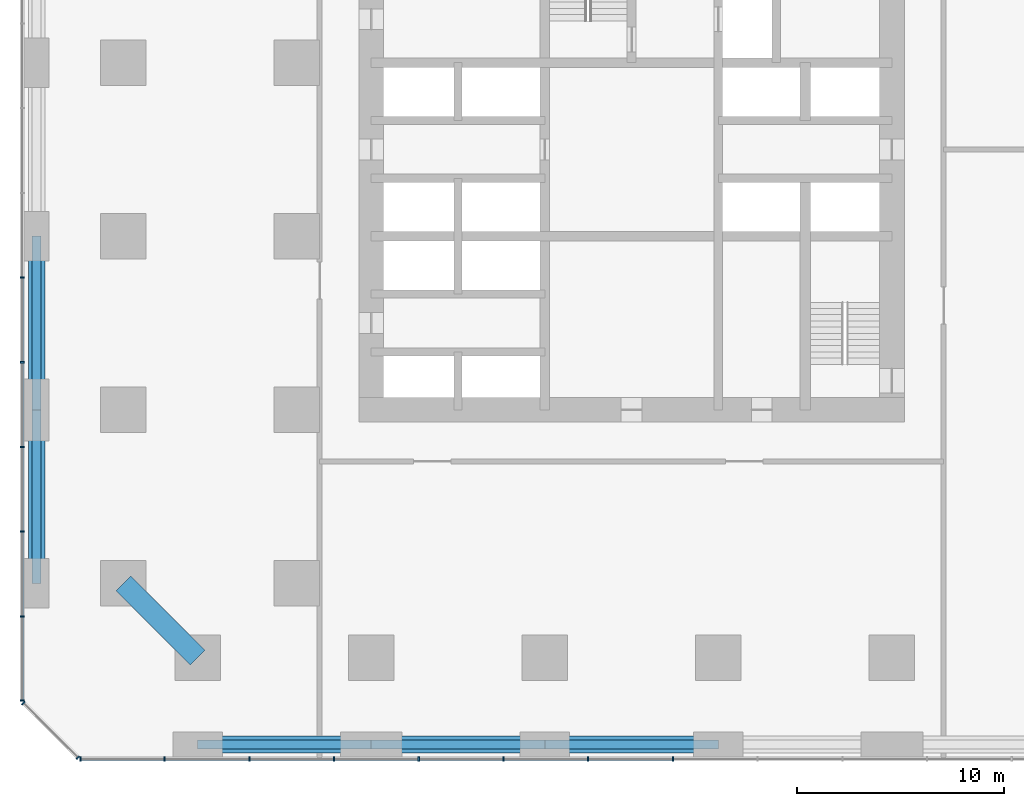
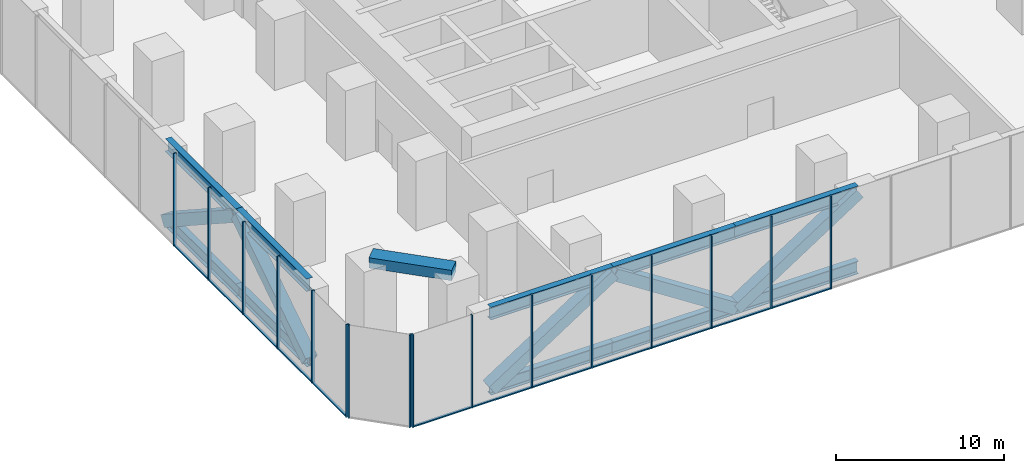
# One storey, part 2 of 10: 43 members, 1 beam, 3 elements without a shape of their own.
"""IFC4 building model written with IfcOpenShell, lengths in metres."""

import ifcopenshell
import ifcopenshell.guid

model = None  # the IFC model being written
_history = None  # IfcOwnerHistory: only IFC2X3 demands one
_inside = {}  # id of a spatial element -> (the spatial element, [elements in it])
_under = {}  # id of a project, library or spatial element -> (it, [spatial elements below it])
_declared = {}  # id of a project -> (the project, [libraries it declares])
_typed = {}  # id of a type object -> (the type object, [elements of that type])
_made_of = {}  # id of a material, layer set ... -> (it, [elements and type objects made of it])


def new_model(schema):
    """Start an empty IFC model of exactly this schema.

    Asked for "IFC4X3", IfcOpenShell would pick the latest addendum, in which some entities
    have other attributes; the version numbers below select the first issue.
    IFC2X3 requires an IfcOwnerHistory on every rooted entity: one is made here for all.
    """
    global model, _history
    if schema == "IFC4X3":
        model = ifcopenshell.file(schema_version=(4, 3, 0, 0))
    else:
        model = ifcopenshell.file(schema=schema)
    _inside.clear()
    _under.clear()
    _declared.clear()
    _typed.clear()
    _made_of.clear()
    _history = None
    if model.schema == "IFC2X3":
        org = make("IfcOrganization", Name="unknown")
        user = make(
            "IfcPersonAndOrganization",
            ThePerson=make("IfcPerson", FamilyName="unknown"),
            TheOrganization=org,
        )
        app = make(
            "IfcApplication",
            ApplicationDeveloper=org,
            Version="unknown",
            ApplicationFullName="unknown",
            ApplicationIdentifier="unknown",
        )
        _history = make(
            "IfcOwnerHistory",
            OwningUser=user,
            OwningApplication=app,
            ChangeAction="ADDED",
            CreationDate=0,
        )
    return model


def make(cls, **values):
    """One entity of the class cls with the attributes given. An attribute that is None is left unset."""
    return model.create_entity(
        cls, **{name: value for name, value in values.items() if value is not None}
    )


def rooted(cls, **values):
    """An entity with a GlobalId (a new one), such as an element, a storey or a relation."""
    return make(cls, GlobalId=ifcopenshell.guid.new(), OwnerHistory=_history, **values)


def si_unit(unit_type, name, prefix=None):
    """IfcSIUnit, for example si_unit("LENGTHUNIT", "METRE", prefix="MILLI")."""
    return make("IfcSIUnit", UnitType=unit_type, Prefix=prefix, Name=name)


def assignment(units):
    """IfcUnitAssignment: the units of a project."""
    return None if units is None else make("IfcUnitAssignment", Units=units)


def point(xyz):
    """IfcCartesianPoint."""
    return None if xyz is None else make("IfcCartesianPoint", Coordinates=xyz)


def direction(xyz):
    """IfcDirection."""
    return None if xyz is None else make("IfcDirection", DirectionRatios=xyz)


def frame(location, z_axis=None, x_axis=None):
    """IfcAxis2Placement3D, a coordinate frame: its origin and axes. An axis left out is left unset."""
    return make(
        "IfcAxis2Placement3D",
        Location=point(location),
        Axis=direction(z_axis),
        RefDirection=direction(x_axis),
    )


def frame_2d(location, x_axis=None):
    """IfcAxis2Placement2D, a coordinate frame in the plane: its origin and x axis."""
    return make(
        "IfcAxis2Placement2D", Location=point(location), RefDirection=direction(x_axis)
    )


def origin():
    """The frame at (0, 0, 0) with its axes left unset."""
    return frame((0.0, 0.0, 0.0))


def origin_2d():
    """The frame at (0, 0) in the plane with its x axis left unset."""
    return frame_2d((0.0, 0.0))


def place(relative_to, where):
    """IfcLocalPlacement: puts the frame where relative to a parent placement (None: the world)."""
    return make(
        "IfcLocalPlacement", PlacementRelTo=relative_to, RelativePlacement=where
    )


def context(
    kind, dimensions, precision=None, world=None, true_north=None, identifier=None
):
    """IfcGeometricRepresentationContext, for example the 3D "Model" context."""
    return make(
        "IfcGeometricRepresentationContext",
        ContextIdentifier=identifier,
        ContextType=kind,
        CoordinateSpaceDimension=dimensions,
        Precision=precision,
        WorldCoordinateSystem=world,
        TrueNorth=true_north,
    )


def subcontext(parent, identifier, kind, view, scale=None):
    """IfcGeometricRepresentationSubContext, for example "Body" below "Model"."""
    return make(
        "IfcGeometricRepresentationSubContext",
        ContextIdentifier=identifier,
        ContextType=kind,
        ParentContext=parent,
        TargetScale=scale,
        TargetView=view,
    )


def project(units=None, contexts=None):
    """IfcProject with its units and contexts."""
    return rooted(
        "IfcProject",
        Name="project",
        RepresentationContexts=contexts,
        UnitsInContext=assignment(units),
    )


def spatial(cls, under=None, at=None, **own):
    """A site, building, storey or space (cls), placed at a placement, below another one or the project."""
    s = rooted(cls, ObjectPlacement=at, **own)
    if under is not None:
        _under.setdefault(under.id(), (under, []))[1].append(s)
    return s


def profile(cls, at=None, kind="AREA", **sizes):
    """A parametric profile (cls). Its sizes go by their IFC names, for example OverallWidth=200.0."""
    return make(cls, ProfileType=kind, Position=at, **sizes)


def rectangle(**sizes):
    """IfcRectangleProfileDef."""
    return profile("IfcRectangleProfileDef", **sizes)


def hollow_rectangle(**sizes):
    """IfcRectangleHollowProfileDef."""
    return profile("IfcRectangleHollowProfileDef", **sizes)


def i_section(**sizes):
    """IfcIShapeProfileDef."""
    return profile("IfcIShapeProfileDef", **sizes)


def extrude(swept, where, along, depth):
    """IfcExtrudedAreaSolid: the profile swept, set in the frame where, extruded along a direction by depth."""
    return make(
        "IfcExtrudedAreaSolid",
        SweptArea=swept,
        Position=where,
        ExtrudedDirection=direction(along),
        Depth=depth,
    )


def shape(context_of_items, identifier, shape_type, items):
    """IfcShapeRepresentation: the items that make up one representation, for example the "Body"."""
    return make(
        "IfcShapeRepresentation",
        ContextOfItems=context_of_items,
        RepresentationIdentifier=identifier,
        RepresentationType=shape_type,
        Items=items,
    )


def material(Name=None, Category=None):
    """IfcMaterial."""
    return make("IfcMaterial", Name=Name, Category=Category)


def material_profile(
    of_material, cross_section, Name=None, Category=None, Priority=None
):
    """IfcMaterialProfile: a cross section and its material."""
    return make(
        "IfcMaterialProfile",
        Name=Name,
        Material=of_material,
        Profile=cross_section,
        Priority=Priority,
        Category=Category,
    )


def profile_set(profiles, Name=None, composite=None):
    """IfcMaterialProfileSet."""
    return make(
        "IfcMaterialProfileSet",
        Name=Name,
        MaterialProfiles=profiles,
        CompositeProfile=composite,
    )


def made_of(thing, what):
    """Note that an element or type object is made of a material, layer set ...; save() writes the relation."""
    if what is not None:
        _made_of.setdefault(what.id(), (what, []))[1].append(thing)
    return thing


def type_object(cls, material=None, **own):
    """A type object (cls), such as IfcWallType, which elements share."""
    return made_of(rooted(cls, **own), material)


def element(
    cls,
    number,
    at=None,
    inside=None,
    cuts=None,
    type_object=None,
    material=None,
    context=None,
    identifier="Body",
    shape_type=None,
    held_by="IfcProductDefinitionShape",
    body=None,
    shapes=None,
    **own,
):
    """One element of the class cls, such as IfcWall. Its Tag is "e" and its number.

    at: its placement. inside: the storey or other place that contains it. cuts: it is an
    opening in that element (IfcRelVoidsElement). A single representation is given by context,
    identifier, shape_type and body (its items); several are given by shapes. held_by: the class
    of the entity that holds the representations. save() writes the other relations.
    """
    e = rooted(cls, Tag="e%d" % number, ObjectPlacement=at, **own)
    if body is not None:
        shapes = [shape(context, identifier, shape_type, body)]
    if shapes is not None:
        e.Representation = make(held_by, Representations=shapes)
    if inside is not None:
        _inside.setdefault(inside.id(), (inside, []))[1].append(e)
    if cuts is not None:
        rooted(
            "IfcRelVoidsElement", RelatingBuildingElement=cuts, RelatedOpeningElement=e
        )
    if type_object is not None:
        _typed.setdefault(type_object.id(), (type_object, []))[1].append(e)
    return made_of(e, material)


def aggregate(whole, parts):
    """IfcRelAggregates: a whole, such as a stair, and the parts it consists of."""
    return rooted("IfcRelAggregates", RelatingObject=whole, RelatedObjects=parts)


def save(model, path):
    """Write the relations noted so far, then the file.

    IfcRelAggregates (storeys below a building ...), IfcRelContainedInSpatialStructure (elements
    in a storey), IfcRelDefinesByType, IfcRelAssociatesMaterial and IfcRelDeclares: one each for
    every whole, place, type object, material and project.
    """
    for whole, parts in _under.values():
        aggregate(whole, parts)
    for where, things in _inside.values():
        rooted(
            "IfcRelContainedInSpatialStructure",
            RelatedElements=things,
            RelatingStructure=where,
        )
    for kind, things in _typed.values():
        rooted("IfcRelDefinesByType", RelatedObjects=things, RelatingType=kind)
    for what, things in _made_of.values():
        rooted("IfcRelAssociatesMaterial", RelatedObjects=things, RelatingMaterial=what)
    for by, libraries in _declared.values():
        rooted("IfcRelDeclares", RelatingContext=by, RelatedDefinitions=libraries)
    model.write(path)


model = new_model("IFC4")

# Units and contexts
model_context = context("Model", 3, precision=1e-05, world=origin(), true_north=direction((0.0, 1.0)))
body_context = subcontext(model_context, "Body", "Model", "MODEL_VIEW")
ifc_project = project(units=[si_unit("LENGTHUNIT", "METRE"), si_unit("AREAUNIT", "SQUARE_METRE"), si_unit("VOLUMEUNIT", "CUBIC_METRE"), si_unit("PLANEANGLEUNIT", "RADIAN"), si_unit("MASSUNIT", "GRAM", prefix="KILO")], contexts=[model_context])

# Site, building, storey
site_placement = place(None, origin())
site = spatial("IfcSite", under=ifc_project, at=site_placement, CompositionType="ELEMENT")
building_placement = place(site_placement, origin())
building = spatial("IfcBuilding", under=site, at=building_placement, Name="Dunama Terrace Hotel", CompositionType="ELEMENT")
storey_placement = place(building_placement, frame((0.0, 0.0, 153.60009765625)))
storey = spatial("IfcBuildingStorey", under=building, at=storey_placement, Name="L39", CompositionType="ELEMENT", Elevation=153.60009765625)

# Members
ifc_material_1 = material(Name="Steel S355", Category="steel")
ifc_material_profile_1 = material_profile(ifc_material_1, hollow_rectangle(XDim=0.800048828125, YDim=0.800048828125, WallThickness=0.06005859375, at=origin_2d()), Name="BOX 800x800x60")
ifc_profile_set_1 = profile_set([ifc_material_profile_1], Name="Steel S355")
member_type_1 = type_object("IfcMemberType", Name="Brace BOX 800x800x60", PredefinedType="BRACE", material=ifc_profile_set_1)
member_1_placement = place(storey_placement, frame((0.60009765625, 8.39990234375, -0.860595703125), z_axis=(0.0, 0.838906226141, 0.544275981229), x_axis=(-1.0, 0.0, 0.0)))
element("IfcMember", 1, at=member_1_placement, inside=storey, type_object=member_type_1, Name="Belt truss diagonal L39", PredefinedType="BRACE", context=body_context, shape_type="SweptSolid", body=[
    extrude(hollow_rectangle(XDim=0.800048828125, YDim=0.800048828125, WallThickness=0.06005859375, at=origin_2d()), origin(), (0.0, 0.0, 1.0), 10.01318359375),
])
member_2_placement = place(storey_placement, frame((0.60009765625, 25.199951171875, -0.860595703125), z_axis=(0.0, -0.83889900313, 0.544287114075), x_axis=(1.0, 0.0, 0.0)))
element("IfcMember", 2, at=member_2_placement, inside=storey, type_object=member_type_1, Name="Belt truss diagonal L39", PredefinedType="BRACE", context=body_context, shape_type="SweptSolid", body=[
    extrude(hollow_rectangle(XDim=0.800048828125, YDim=0.800048828125, WallThickness=0.06005859375, at=origin_2d()), origin(), (0.0, 0.0, 1.0), 10.012939453125),
])
member_3_placement = place(storey_placement, frame((8.39990234375, 0.60009765625, -0.860595703125), z_axis=(0.838906226141, 0.0, 0.544275981229), x_axis=(0.0, 1.0, 0.0)))
element("IfcMember", 3, at=member_3_placement, inside=storey, type_object=member_type_1, Name="Belt truss diagonal L39", PredefinedType="BRACE", context=body_context, shape_type="SweptSolid", body=[
    extrude(hollow_rectangle(XDim=0.800048828125, YDim=0.800048828125, WallThickness=0.06005859375, at=origin_2d()), origin(), (0.0, 0.0, 1.0), 10.01318359375),
])
member_4_placement = place(storey_placement, frame((25.199951171875, 0.60009765625, -0.860595703125), z_axis=(-0.83889900313, 0.0, 0.544287114075), x_axis=(0.0, -1.0, 0.0)))
element("IfcMember", 4, at=member_4_placement, inside=storey, type_object=member_type_1, Name="Belt truss diagonal L39", PredefinedType="BRACE", context=body_context, shape_type="SweptSolid", body=[
    extrude(hollow_rectangle(XDim=0.800048828125, YDim=0.800048828125, WallThickness=0.06005859375, at=origin_2d()), origin(), (0.0, 0.0, 1.0), 10.012939453125),
])
member_5_placement = place(storey_placement, frame((25.199951171875, 0.60009765625, -0.860595703125), z_axis=(0.838906226141, 0.0, 0.544275981229), x_axis=(0.0, 1.0, 0.0)))
element("IfcMember", 5, at=member_5_placement, inside=storey, type_object=member_type_1, Name="Belt truss diagonal L39", PredefinedType="BRACE", context=body_context, shape_type="SweptSolid", body=[
    extrude(hollow_rectangle(XDim=0.800048828125, YDim=0.800048828125, WallThickness=0.06005859375, at=origin_2d()), origin(), (0.0, 0.0, 1.0), 10.01318359375),
])

# Curtain wall, members
ifc_material_2 = material(Name="Aluminium curtain wall system", Category="aluminium")
curtain_wall_type = type_object("IfcCurtainWallType", Name="Plant floor louvred glazing CW-G", PredefinedType="NOTDEFINED", material=ifc_material_2)
curtain_wall_1_placement = place(storey_placement, origin())
curtain_wall_1 = element("IfcCurtainWall", 6, at=curtain_wall_1_placement, inside=storey, type_object=curtain_wall_type, Name="Plant floor louvred glazing CW-G L39", PredefinedType="NOTDEFINED")
ifc_material_3 = material(Name="Aluminium mullion", Category="aluminium")
ifc_material_profile_2 = material_profile(ifc_material_3, rectangle(XDim=0.074951171875, YDim=0.199951171875, at=origin_2d()), Name="CWG MULLION 75X200")
ifc_profile_set_2 = profile_set([ifc_material_profile_2], Name="Aluminium mullion")
member_type_2 = type_object("IfcMemberType", Name="CWG mullion 75x200", PredefinedType="MULLION", material=ifc_profile_set_2)
member_6_placement = place(storey_placement, frame((2.738037109375, -0.10009765625, -1.321044921875), z_axis=(0.0, 0.0, 1.0), x_axis=(1.0, 0.0, 0.0)))
member_6 = element("IfcMember", 7, at=member_6_placement, type_object=member_type_2, Name="CWG mullion", PredefinedType="MULLION", context=body_context, shape_type="SweptSolid", body=[
    extrude(rectangle(XDim=0.074951171875, YDim=0.199951171875, at=origin_2d()), origin(), (0.0, 0.0, 1.0), 6.720947265625),
])
member_7_placement = place(storey_placement, frame((6.800048828125, -0.10009765625, -1.321044921875), z_axis=(0.0, 0.0, 1.0), x_axis=(1.0, 0.0, 0.0)))
member_7 = element("IfcMember", 8, at=member_7_placement, type_object=member_type_2, Name="CWG mullion", PredefinedType="MULLION", context=body_context, shape_type="SweptSolid", body=[
    extrude(rectangle(XDim=0.074951171875, YDim=0.199951171875, at=origin_2d()), origin(), (0.0, 0.0, 1.0), 6.720947265625),
])
member_8_placement = place(storey_placement, frame((10.89990234375, -0.10009765625, -1.321044921875), z_axis=(0.0, 0.0, 1.0), x_axis=(1.0, 0.0, 0.0)))
member_8 = element("IfcMember", 9, at=member_8_placement, type_object=member_type_2, Name="CWG mullion", PredefinedType="MULLION", context=body_context, shape_type="SweptSolid", body=[
    extrude(rectangle(XDim=0.074951171875, YDim=0.199951171875, at=origin_2d()), origin(), (0.0, 0.0, 1.0), 6.720947265625),
])
member_9_placement = place(storey_placement, frame((15.0, -0.10009765625, -1.321044921875), z_axis=(0.0, 0.0, 1.0), x_axis=(1.0, 0.0, 0.0)))
member_9 = element("IfcMember", 10, at=member_9_placement, type_object=member_type_2, Name="CWG mullion", PredefinedType="MULLION", context=body_context, shape_type="SweptSolid", body=[
    extrude(rectangle(XDim=0.074951171875, YDim=0.199951171875, at=origin_2d()), origin(), (0.0, 0.0, 1.0), 6.720947265625),
])
member_10_placement = place(storey_placement, frame((19.10009765625, -0.10009765625, -1.321044921875), z_axis=(0.0, 0.0, 1.0), x_axis=(1.0, 0.0, 0.0)))
member_10 = element("IfcMember", 11, at=member_10_placement, type_object=member_type_2, Name="CWG mullion", PredefinedType="MULLION", context=body_context, shape_type="SweptSolid", body=[
    extrude(rectangle(XDim=0.074951171875, YDim=0.199951171875, at=origin_2d()), origin(), (0.0, 0.0, 1.0), 6.720947265625),
])
member_11_placement = place(storey_placement, frame((23.199951171875, -0.10009765625, -1.321044921875), z_axis=(0.0, 0.0, 1.0), x_axis=(1.0, 0.0, 0.0)))
member_11 = element("IfcMember", 12, at=member_11_placement, type_object=member_type_2, Name="CWG mullion", PredefinedType="MULLION", context=body_context, shape_type="SweptSolid", body=[
    extrude(rectangle(XDim=0.074951171875, YDim=0.199951171875, at=origin_2d()), origin(), (0.0, 0.0, 1.0), 6.720947265625),
])
member_12_placement = place(storey_placement, frame((27.300048828125, -0.10009765625, -1.321044921875), z_axis=(0.0, 0.0, 1.0), x_axis=(1.0, 0.0, 0.0)))
member_12 = element("IfcMember", 13, at=member_12_placement, type_object=member_type_2, Name="CWG mullion", PredefinedType="MULLION", context=body_context, shape_type="SweptSolid", body=[
    extrude(rectangle(XDim=0.074951171875, YDim=0.199951171875, at=origin_2d()), origin(), (0.0, 0.0, 1.0), 6.720947265625),
])
member_13_placement = place(storey_placement, frame((31.39990234375, -0.10009765625, -1.321044921875), z_axis=(0.0, 0.0, 1.0), x_axis=(1.0, 0.0, 0.0)))
member_13 = element("IfcMember", 14, at=member_13_placement, type_object=member_type_2, Name="CWG mullion", PredefinedType="MULLION", context=body_context, shape_type="SweptSolid", body=[
    extrude(rectangle(XDim=0.074951171875, YDim=0.199951171875, at=origin_2d()), origin(), (0.0, 0.0, 1.0), 6.720947265625),
])

curtain_wall_2_placement = place(storey_placement, origin())
curtain_wall_2 = element("IfcCurtainWall", 15, at=curtain_wall_2_placement, inside=storey, type_object=curtain_wall_type, Name="Plant floor louvred glazing CW-G L39", PredefinedType="NOTDEFINED")
member_14_placement = place(storey_placement, frame((-0.10009765625, 23.199951171875, -1.321044921875), z_axis=(0.0, 0.0, 1.0), x_axis=(0.0, -1.0, 0.0)))
member_14 = element("IfcMember", 16, at=member_14_placement, type_object=member_type_2, Name="CWG mullion", PredefinedType="MULLION", context=body_context, shape_type="SweptSolid", body=[
    extrude(rectangle(XDim=0.074951171875, YDim=0.199951171875, at=origin_2d()), origin(), (0.0, 0.0, 1.0), 6.720947265625),
])
member_15_placement = place(storey_placement, frame((-0.10009765625, 19.10009765625, -1.321044921875), z_axis=(0.0, 0.0, 1.0), x_axis=(0.0, -1.0, 0.0)))
member_15 = element("IfcMember", 17, at=member_15_placement, type_object=member_type_2, Name="CWG mullion", PredefinedType="MULLION", context=body_context, shape_type="SweptSolid", body=[
    extrude(rectangle(XDim=0.074951171875, YDim=0.199951171875, at=origin_2d()), origin(), (0.0, 0.0, 1.0), 6.720947265625),
])
member_16_placement = place(storey_placement, frame((-0.10009765625, 15.0, -1.321044921875), z_axis=(0.0, 0.0, 1.0), x_axis=(0.0, -1.0, 0.0)))
member_16 = element("IfcMember", 18, at=member_16_placement, type_object=member_type_2, Name="CWG mullion", PredefinedType="MULLION", context=body_context, shape_type="SweptSolid", body=[
    extrude(rectangle(XDim=0.074951171875, YDim=0.199951171875, at=origin_2d()), origin(), (0.0, 0.0, 1.0), 6.720947265625),
])
member_17_placement = place(storey_placement, frame((-0.10009765625, 10.89990234375, -1.321044921875), z_axis=(0.0, 0.0, 1.0), x_axis=(0.0, -1.0, 0.0)))
member_17 = element("IfcMember", 19, at=member_17_placement, type_object=member_type_2, Name="CWG mullion", PredefinedType="MULLION", context=body_context, shape_type="SweptSolid", body=[
    extrude(rectangle(XDim=0.074951171875, YDim=0.199951171875, at=origin_2d()), origin(), (0.0, 0.0, 1.0), 6.720947265625),
])
member_18_placement = place(storey_placement, frame((-0.10009765625, 6.800048828125, -1.321044921875), z_axis=(0.0, 0.0, 1.0), x_axis=(0.0, -1.0, 0.0)))
member_18 = element("IfcMember", 20, at=member_18_placement, type_object=member_type_2, Name="CWG mullion", PredefinedType="MULLION", context=body_context, shape_type="SweptSolid", body=[
    extrude(rectangle(XDim=0.074951171875, YDim=0.199951171875, at=origin_2d()), origin(), (0.0, 0.0, 1.0), 6.720947265625),
])
member_19_placement = place(storey_placement, frame((-0.10009765625, 2.738037109375, -1.321044921875), z_axis=(0.0, 0.0, 1.0), x_axis=(0.0, -1.0, 0.0)))
member_19 = element("IfcMember", 21, at=member_19_placement, type_object=member_type_2, Name="CWG mullion", PredefinedType="MULLION", context=body_context, shape_type="SweptSolid", body=[
    extrude(rectangle(XDim=0.074951171875, YDim=0.199951171875, at=origin_2d()), origin(), (0.0, 0.0, 1.0), 6.720947265625),
])

curtain_wall_3_placement = place(storey_placement, origin())
curtain_wall_3 = element("IfcCurtainWall", 22, at=curtain_wall_3_placement, inside=storey, type_object=curtain_wall_type, Name="Plant floor louvred glazing CW-G L39", PredefinedType="NOTDEFINED")
member_20_placement = place(storey_placement, frame((-0.0439453125, 2.60302734375, -1.321044921875), z_axis=(0.0, 0.0, 1.0), x_axis=(0.707106781187, -0.707106781187, 0.0)))
member_20 = element("IfcMember", 23, at=member_20_placement, type_object=member_type_2, Name="CWG mullion", PredefinedType="MULLION", context=body_context, shape_type="SweptSolid", body=[
    extrude(rectangle(XDim=0.074951171875, YDim=0.199951171875, at=origin_2d()), origin(), (0.0, 0.0, 1.0), 6.720947265625),
])
member_21_placement = place(storey_placement, frame((2.60302734375, -0.0439453125, -1.321044921875), z_axis=(0.0, 0.0, 1.0), x_axis=(0.707106781187, -0.707106781187, 0.0)))
member_21 = element("IfcMember", 24, at=member_21_placement, type_object=member_type_2, Name="CWG mullion", PredefinedType="MULLION", context=body_context, shape_type="SweptSolid", body=[
    extrude(rectangle(XDim=0.074951171875, YDim=0.199951171875, at=origin_2d()), origin(), (0.0, 0.0, 1.0), 6.720947265625),
])
aggregate(curtain_wall_3, [member_20, member_21])

# Member
ifc_material_4 = material(Name="Aluminium transom", Category="aluminium")
ifc_material_profile_3 = material_profile(ifc_material_4, rectangle(XDim=0.159912109375, YDim=0.0849609375, at=origin_2d()), Name="CWG TRANSOM 160X85")
ifc_profile_set_3 = profile_set([ifc_material_profile_3], Name="Aluminium transom")
member_type_3 = type_object("IfcMemberType", Name="CWG transom 160x85", PredefinedType="USERDEFINED", material=ifc_profile_set_3)
member_22_placement = place(storey_placement, frame((2.77490234375, -0.10009765625, -1.278564453125), z_axis=(1.0, 0.0, 0.0), x_axis=(0.0, 1.0, 0.0)))
member_22 = element("IfcMember", 25, at=member_22_placement, type_object=member_type_3, Name="CWG transom", ObjectType="TRANSOM", PredefinedType="USERDEFINED", context=body_context, shape_type="SweptSolid", body=[
    extrude(rectangle(XDim=0.159912109375, YDim=0.0849609375, at=origin_2d()), origin(), (0.0, 0.0, 1.0), 3.988037109375),
])

member_23_placement = place(storey_placement, frame((6.8369140625, -0.10009765625, -1.278564453125), z_axis=(1.0, 0.0, 0.0), x_axis=(0.0, 1.0, 0.0)))
member_23 = element("IfcMember", 26, at=member_23_placement, type_object=member_type_3, Name="CWG transom", ObjectType="TRANSOM", PredefinedType="USERDEFINED", context=body_context, shape_type="SweptSolid", body=[
    extrude(rectangle(XDim=0.159912109375, YDim=0.0849609375, at=origin_2d()), origin(), (0.0, 0.0, 1.0), 4.026123046875),
])

member_24_placement = place(storey_placement, frame((10.93798828125, -0.10009765625, -1.278564453125), z_axis=(1.0, 0.0, 0.0), x_axis=(0.0, 1.0, 0.0)))
member_24 = element("IfcMember", 27, at=member_24_placement, type_object=member_type_3, Name="CWG transom", ObjectType="TRANSOM", PredefinedType="USERDEFINED", context=body_context, shape_type="SweptSolid", body=[
    extrude(rectangle(XDim=0.159912109375, YDim=0.0849609375, at=origin_2d()), origin(), (0.0, 0.0, 1.0), 4.02392578125),
])

member_25_placement = place(storey_placement, frame((15.037109375, -0.10009765625, -1.278564453125), z_axis=(1.0, 0.0, 0.0), x_axis=(0.0, 1.0, 0.0)))
member_25 = element("IfcMember", 28, at=member_25_placement, type_object=member_type_3, Name="CWG transom", ObjectType="TRANSOM", PredefinedType="USERDEFINED", context=body_context, shape_type="SweptSolid", body=[
    extrude(rectangle(XDim=0.159912109375, YDim=0.0849609375, at=origin_2d()), origin(), (0.0, 0.0, 1.0), 4.02490234375),
])

member_26_placement = place(storey_placement, frame((19.136962890625, -0.10009765625, -1.278564453125), z_axis=(1.0, 0.0, 0.0), x_axis=(0.0, 1.0, 0.0)))
member_26 = element("IfcMember", 29, at=member_26_placement, type_object=member_type_3, Name="CWG transom", ObjectType="TRANSOM", PredefinedType="USERDEFINED", context=body_context, shape_type="SweptSolid", body=[
    extrude(rectangle(XDim=0.159912109375, YDim=0.0849609375, at=origin_2d()), origin(), (0.0, 0.0, 1.0), 4.025146484375),
])

member_27_placement = place(storey_placement, frame((23.238037109375, -0.10009765625, -1.278564453125), z_axis=(1.0, 0.0, 0.0), x_axis=(0.0, 1.0, 0.0)))
member_27 = element("IfcMember", 30, at=member_27_placement, type_object=member_type_3, Name="CWG transom", ObjectType="TRANSOM", PredefinedType="USERDEFINED", context=body_context, shape_type="SweptSolid", body=[
    extrude(rectangle(XDim=0.159912109375, YDim=0.0849609375, at=origin_2d()), origin(), (0.0, 0.0, 1.0), 4.02392578125),
])

member_28_placement = place(storey_placement, frame((27.3369140625, -0.10009765625, -1.278564453125), z_axis=(1.0, 0.0, 0.0), x_axis=(0.0, 1.0, 0.0)))
member_28 = element("IfcMember", 31, at=member_28_placement, type_object=member_type_3, Name="CWG transom", ObjectType="TRANSOM", PredefinedType="USERDEFINED", context=body_context, shape_type="SweptSolid", body=[
    extrude(rectangle(XDim=0.159912109375, YDim=0.0849609375, at=origin_2d()), origin(), (0.0, 0.0, 1.0), 4.025146484375),
])

aggregate(curtain_wall_1, [member_6, member_7, member_8, member_9, member_10, member_11, member_12, member_13, member_22, member_23, member_24, member_25, member_26, member_27, member_28])

member_29_placement = place(storey_placement, frame((-0.10009765625, 23.1630859375, -1.278564453125), z_axis=(0.0, -1.0, 0.0), x_axis=(1.0, 0.0, 0.0)))
member_29 = element("IfcMember", 32, at=member_29_placement, type_object=member_type_3, Name="CWG transom", ObjectType="TRANSOM", PredefinedType="USERDEFINED", context=body_context, shape_type="SweptSolid", body=[
    extrude(rectangle(XDim=0.159912109375, YDim=0.0849609375, at=origin_2d()), origin(), (0.0, 0.0, 1.0), 4.025146484375),
])

member_30_placement = place(storey_placement, frame((-0.10009765625, 19.06201171875, -1.278564453125), z_axis=(0.0, -1.0, 0.0), x_axis=(1.0, 0.0, 0.0)))
member_30 = element("IfcMember", 33, at=member_30_placement, type_object=member_type_3, Name="CWG transom", ObjectType="TRANSOM", PredefinedType="USERDEFINED", context=body_context, shape_type="SweptSolid", body=[
    extrude(rectangle(XDim=0.159912109375, YDim=0.0849609375, at=origin_2d()), origin(), (0.0, 0.0, 1.0), 4.02392578125),
])

member_31_placement = place(storey_placement, frame((-0.10009765625, 14.9619140625, -1.278564453125), z_axis=(0.0, -1.0, 0.0), x_axis=(1.0, 0.0, 0.0)))
member_31 = element("IfcMember", 34, at=member_31_placement, type_object=member_type_3, Name="CWG transom", ObjectType="TRANSOM", PredefinedType="USERDEFINED", context=body_context, shape_type="SweptSolid", body=[
    extrude(rectangle(XDim=0.159912109375, YDim=0.0849609375, at=origin_2d()), origin(), (0.0, 0.0, 1.0), 4.02392578125),
])

member_32_placement = place(storey_placement, frame((-0.10009765625, 10.862060546875, -1.278564453125), z_axis=(0.0, -1.0, 0.0), x_axis=(1.0, 0.0, 0.0)))
member_32 = element("IfcMember", 35, at=member_32_placement, type_object=member_type_3, Name="CWG transom", ObjectType="TRANSOM", PredefinedType="USERDEFINED", context=body_context, shape_type="SweptSolid", body=[
    extrude(rectangle(XDim=0.159912109375, YDim=0.0849609375, at=origin_2d()), origin(), (0.0, 0.0, 1.0), 4.024169921875),
])

member_33_placement = place(storey_placement, frame((-0.10009765625, 6.762939453125, -1.278564453125), z_axis=(0.0, -1.0, 0.0), x_axis=(1.0, 0.0, 0.0)))
member_33 = element("IfcMember", 36, at=member_33_placement, type_object=member_type_3, Name="CWG transom", ObjectType="TRANSOM", PredefinedType="USERDEFINED", context=body_context, shape_type="SweptSolid", body=[
    extrude(rectangle(XDim=0.159912109375, YDim=0.0849609375, at=origin_2d()), origin(), (0.0, 0.0, 1.0), 3.988037109375),
])

aggregate(curtain_wall_2, [member_14, member_15, member_16, member_17, member_18, member_19, member_29, member_30, member_31, member_32, member_33])

# Beam
ifc_material_5 = material(Name="Concrete C50/60", Category="concrete")
ifc_material_profile_4 = material_profile(ifc_material_5, rectangle(XDim=1.0, YDim=0.75, at=origin_2d()), Name="RC 1000x750")
ifc_profile_set_4 = profile_set([ifc_material_profile_4], Name="Concrete C50/60")
beam_type = type_object("IfcBeamType", Name="Edge beam RC 1000x750", PredefinedType="SPANDREL", material=ifc_profile_set_4)
beam_placement = place(storey_placement, frame((8.39990234375, 4.800048828125, 5.02490234375), z_axis=(-0.707106781187, 0.707106781187, 0.0), x_axis=(-0.707106781187, -0.707106781187, 0.0)))
element("IfcBeam", 37, at=beam_placement, inside=storey, type_object=beam_type, Name="Corner edge beam under L40", PredefinedType="SPANDREL", context=body_context, shape_type="SweptSolid", body=[
    extrude(rectangle(XDim=1.0, YDim=0.75, at=origin_2d()), origin(), (0.0, 0.0, 1.0), 5.091064453125),
])

# Members
ifc_material_6 = material(Name="Steel S355", Category="steel")
ifc_material_profile_5 = material_profile(ifc_material_6, i_section(OverallWidth=0.42041015625, OverallDepth=0.9208984375, WebThickness=0.021484375, FlangeThickness=0.03662109375, FilletRadius=0.024169921875, at=origin_2d()), Name="UB 914x419x388")
ifc_profile_set_5 = profile_set([ifc_material_profile_5], Name="Steel S355")
member_type_4 = type_object("IfcMemberType", Name="Truss member UB 914x419x388", PredefinedType="CHORD", material=ifc_profile_set_5)
for number, where, z_axis, x_axis, name in (
    (38, (0.60009765625, 8.39990234375, 4.58935546875), (0.0, 1.0, 0.0), (-1.0, 0.0, 0.0), "Belt truss top chord L39"),
    (39, (0.60009765625, 8.39990234375, -0.860595703125), (0.0, 1.0, 0.0), (-1.0, 0.0, 0.0), "Belt truss bottom chord L39"),
):
    element("IfcMember", number, at=place(storey_placement, frame(where, z_axis=z_axis, x_axis=x_axis)), inside=storey, type_object=member_type_4, Name=name, PredefinedType="CHORD", context=body_context, shape_type="SweptSolid", body=[
        extrude(i_section(OverallWidth=0.42041015625, OverallDepth=0.9208984375, WebThickness=0.021484375, FlangeThickness=0.03662109375, FilletRadius=0.024169921875, at=origin_2d()), origin(), (0.0, 0.0, 1.0), 8.400146484375),
    ])
for number, where, z_axis, x_axis, name in (
    (40, (0.60009765625, 16.800048828125, 4.58935546875), (0.0, 1.0, 0.0), (-1.0, 0.0, 0.0), "Belt truss top chord L39"),
    (41, (0.60009765625, 16.800048828125, -0.860595703125), (0.0, 1.0, 0.0), (-1.0, 0.0, 0.0), "Belt truss bottom chord L39"),
):
    element("IfcMember", number, at=place(storey_placement, frame(where, z_axis=z_axis, x_axis=x_axis)), inside=storey, type_object=member_type_4, Name=name, PredefinedType="CHORD", context=body_context, shape_type="SweptSolid", body=[
        extrude(i_section(OverallWidth=0.42041015625, OverallDepth=0.9208984375, WebThickness=0.021484375, FlangeThickness=0.03662109375, FilletRadius=0.024169921875, at=origin_2d()), origin(), (0.0, 0.0, 1.0), 8.39990234375),
    ])
for number, where, z_axis, x_axis, name in (
    (42, (8.39990234375, 0.60009765625, 4.58935546875), (1.0, 0.0, 0.0), (0.0, 1.0, 0.0), "Belt truss top chord L39"),
    (43, (8.39990234375, 0.60009765625, -0.860595703125), (1.0, 0.0, 0.0), (0.0, 1.0, 0.0), "Belt truss bottom chord L39"),
):
    element("IfcMember", number, at=place(storey_placement, frame(where, z_axis=z_axis, x_axis=x_axis)), inside=storey, type_object=member_type_4, Name=name, PredefinedType="CHORD", context=body_context, shape_type="SweptSolid", body=[
        extrude(i_section(OverallWidth=0.42041015625, OverallDepth=0.9208984375, WebThickness=0.021484375, FlangeThickness=0.03662109375, FilletRadius=0.024169921875, at=origin_2d()), origin(), (0.0, 0.0, 1.0), 8.400146484375),
    ])
for number, where, z_axis, x_axis, name in (
    (44, (16.800048828125, 0.60009765625, 4.58935546875), (1.0, 0.0, 0.0), (0.0, 1.0, 0.0), "Belt truss top chord L39"),
    (45, (16.800048828125, 0.60009765625, -0.860595703125), (1.0, 0.0, 0.0), (0.0, 1.0, 0.0), "Belt truss bottom chord L39"),
):
    element("IfcMember", number, at=place(storey_placement, frame(where, z_axis=z_axis, x_axis=x_axis)), inside=storey, type_object=member_type_4, Name=name, PredefinedType="CHORD", context=body_context, shape_type="SweptSolid", body=[
        extrude(i_section(OverallWidth=0.42041015625, OverallDepth=0.9208984375, WebThickness=0.021484375, FlangeThickness=0.03662109375, FilletRadius=0.024169921875, at=origin_2d()), origin(), (0.0, 0.0, 1.0), 8.39990234375),
    ])
for number, where, z_axis, x_axis, name in (
    (46, (25.199951171875, 0.60009765625, 4.58935546875), (1.0, 0.0, 0.0), (0.0, 1.0, 0.0), "Belt truss top chord L39"),
    (47, (25.199951171875, 0.60009765625, -0.860595703125), (1.0, 0.0, 0.0), (0.0, 1.0, 0.0), "Belt truss bottom chord L39"),
):
    element("IfcMember", number, at=place(storey_placement, frame(where, z_axis=z_axis, x_axis=x_axis)), inside=storey, type_object=member_type_4, Name=name, PredefinedType="CHORD", context=body_context, shape_type="SweptSolid", body=[
        extrude(i_section(OverallWidth=0.42041015625, OverallDepth=0.9208984375, WebThickness=0.021484375, FlangeThickness=0.03662109375, FilletRadius=0.024169921875, at=origin_2d()), origin(), (0.0, 0.0, 1.0), 8.400146484375),
    ])

save(model, "model.ifc")
